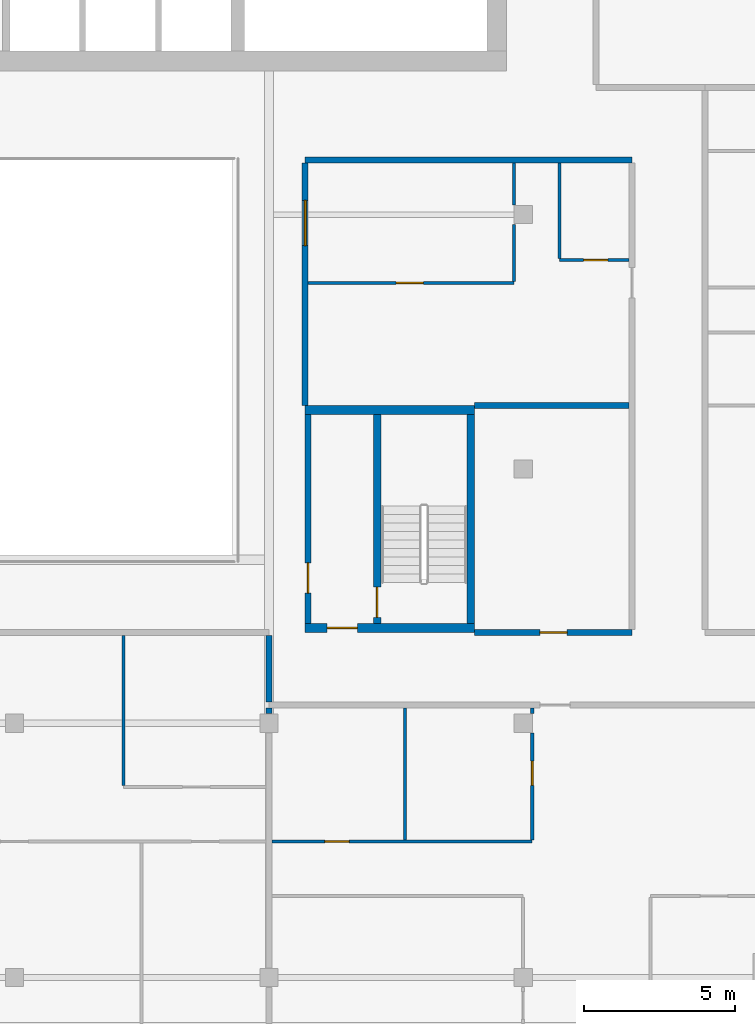
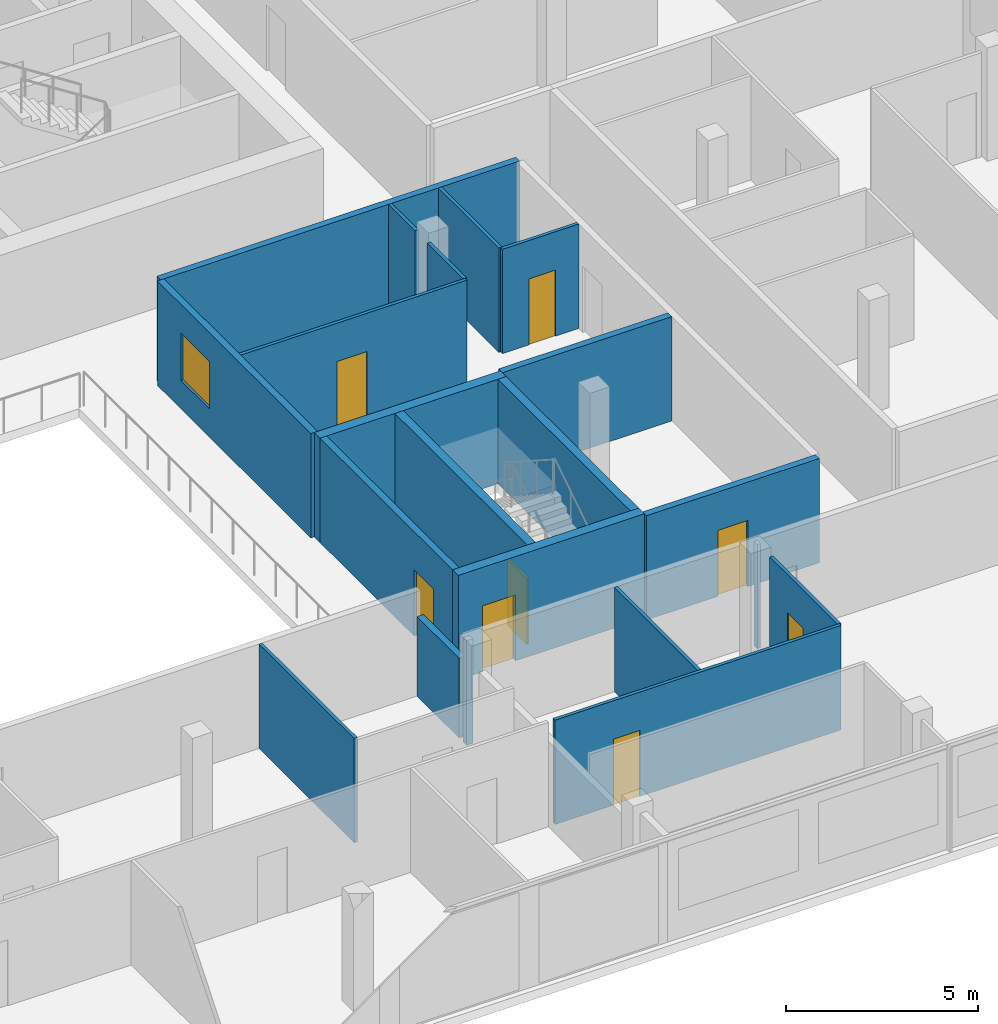
# One storey, part 19 of 30: 21 walls, 8 doors, 1 window, 9 openings.
"""IFC4 building model written with IfcOpenShell, lengths in metres."""

import ifcopenshell
import ifcopenshell.guid

model = None  # the IFC model being written
_history = None  # IfcOwnerHistory: only IFC2X3 demands one
_inside = {}  # id of a spatial element -> (the spatial element, [elements in it])
_under = {}  # id of a project, library or spatial element -> (it, [spatial elements below it])
_declared = {}  # id of a project -> (the project, [libraries it declares])
_typed = {}  # id of a type object -> (the type object, [elements of that type])
_made_of = {}  # id of a material, layer set ... -> (it, [elements and type objects made of it])


def new_model(schema):
    """Start an empty IFC model of exactly this schema.

    Asked for "IFC4X3", IfcOpenShell would pick the latest addendum, in which some entities
    have other attributes; the version numbers below select the first issue.
    IFC2X3 requires an IfcOwnerHistory on every rooted entity: one is made here for all.
    """
    global model, _history
    if schema == "IFC4X3":
        model = ifcopenshell.file(schema_version=(4, 3, 0, 0))
    else:
        model = ifcopenshell.file(schema=schema)
    _inside.clear()
    _under.clear()
    _declared.clear()
    _typed.clear()
    _made_of.clear()
    _history = None
    if model.schema == "IFC2X3":
        org = make("IfcOrganization", Name="unknown")
        user = make(
            "IfcPersonAndOrganization",
            ThePerson=make("IfcPerson", FamilyName="unknown"),
            TheOrganization=org,
        )
        app = make(
            "IfcApplication",
            ApplicationDeveloper=org,
            Version="unknown",
            ApplicationFullName="unknown",
            ApplicationIdentifier="unknown",
        )
        _history = make(
            "IfcOwnerHistory",
            OwningUser=user,
            OwningApplication=app,
            ChangeAction="ADDED",
            CreationDate=0,
        )
    return model


def make(cls, **values):
    """One entity of the class cls with the attributes given. An attribute that is None is left unset."""
    return model.create_entity(
        cls, **{name: value for name, value in values.items() if value is not None}
    )


def rooted(cls, **values):
    """An entity with a GlobalId (a new one), such as an element, a storey or a relation."""
    return make(cls, GlobalId=ifcopenshell.guid.new(), OwnerHistory=_history, **values)


def si_unit(unit_type, name, prefix=None):
    """IfcSIUnit, for example si_unit("LENGTHUNIT", "METRE", prefix="MILLI")."""
    return make("IfcSIUnit", UnitType=unit_type, Prefix=prefix, Name=name)


def assignment(units):
    """IfcUnitAssignment: the units of a project."""
    return None if units is None else make("IfcUnitAssignment", Units=units)


def point(xyz):
    """IfcCartesianPoint."""
    return None if xyz is None else make("IfcCartesianPoint", Coordinates=xyz)


def direction(xyz):
    """IfcDirection."""
    return None if xyz is None else make("IfcDirection", DirectionRatios=xyz)


def frame(location, z_axis=None, x_axis=None):
    """IfcAxis2Placement3D, a coordinate frame: its origin and axes. An axis left out is left unset."""
    return make(
        "IfcAxis2Placement3D",
        Location=point(location),
        Axis=direction(z_axis),
        RefDirection=direction(x_axis),
    )


def frame_2d(location, x_axis=None):
    """IfcAxis2Placement2D, a coordinate frame in the plane: its origin and x axis."""
    return make(
        "IfcAxis2Placement2D", Location=point(location), RefDirection=direction(x_axis)
    )


def origin():
    """The frame at (0, 0, 0) with its axes left unset."""
    return frame((0.0, 0.0, 0.0))


def place(relative_to, where):
    """IfcLocalPlacement: puts the frame where relative to a parent placement (None: the world)."""
    return make(
        "IfcLocalPlacement", PlacementRelTo=relative_to, RelativePlacement=where
    )


def context(
    kind, dimensions, precision=None, world=None, true_north=None, identifier=None
):
    """IfcGeometricRepresentationContext, for example the 3D "Model" context."""
    return make(
        "IfcGeometricRepresentationContext",
        ContextIdentifier=identifier,
        ContextType=kind,
        CoordinateSpaceDimension=dimensions,
        Precision=precision,
        WorldCoordinateSystem=world,
        TrueNorth=true_north,
    )


def subcontext(parent, identifier, kind, view, scale=None):
    """IfcGeometricRepresentationSubContext, for example "Body" below "Model"."""
    return make(
        "IfcGeometricRepresentationSubContext",
        ContextIdentifier=identifier,
        ContextType=kind,
        ParentContext=parent,
        TargetScale=scale,
        TargetView=view,
    )


def project(units=None, contexts=None):
    """IfcProject with its units and contexts."""
    return rooted(
        "IfcProject",
        Name="project",
        RepresentationContexts=contexts,
        UnitsInContext=assignment(units),
    )


def spatial(cls, under=None, at=None, **own):
    """A site, building, storey or space (cls), placed at a placement, below another one or the project."""
    s = rooted(cls, ObjectPlacement=at, **own)
    if under is not None:
        _under.setdefault(under.id(), (under, []))[1].append(s)
    return s


def profile(cls, at=None, kind="AREA", **sizes):
    """A parametric profile (cls). Its sizes go by their IFC names, for example OverallWidth=200.0."""
    return make(cls, ProfileType=kind, Position=at, **sizes)


def rectangle(**sizes):
    """IfcRectangleProfileDef."""
    return profile("IfcRectangleProfileDef", **sizes)


def extrude(swept, where, along, depth):
    """IfcExtrudedAreaSolid: the profile swept, set in the frame where, extruded along a direction by depth."""
    return make(
        "IfcExtrudedAreaSolid",
        SweptArea=swept,
        Position=where,
        ExtrudedDirection=direction(along),
        Depth=depth,
    )


def shape(context_of_items, identifier, shape_type, items):
    """IfcShapeRepresentation: the items that make up one representation, for example the "Body"."""
    return make(
        "IfcShapeRepresentation",
        ContextOfItems=context_of_items,
        RepresentationIdentifier=identifier,
        RepresentationType=shape_type,
        Items=items,
    )


def material(Name=None, Category=None):
    """IfcMaterial."""
    return make("IfcMaterial", Name=Name, Category=Category)


def layer(
    of_material, thickness, ventilated=None, Name=None, Category=None, Priority=None
):
    """IfcMaterialLayer: one layer of a wall or slab, of a material (None: an air gap)."""
    return make(
        "IfcMaterialLayer",
        Material=of_material,
        LayerThickness=thickness,
        IsVentilated=ventilated,
        Name=Name,
        Category=Category,
        Priority=Priority,
    )


def layer_set(layers, Name=None):
    """IfcMaterialLayerSet."""
    return make("IfcMaterialLayerSet", MaterialLayers=layers, LayerSetName=Name)


def made_of(thing, what):
    """Note that an element or type object is made of a material, layer set ...; save() writes the relation."""
    if what is not None:
        _made_of.setdefault(what.id(), (what, []))[1].append(thing)
    return thing


def type_object(cls, material=None, **own):
    """A type object (cls), such as IfcWallType, which elements share."""
    return made_of(rooted(cls, **own), material)


def element(
    cls,
    number,
    at=None,
    inside=None,
    cuts=None,
    type_object=None,
    material=None,
    context=None,
    identifier="Body",
    shape_type=None,
    held_by="IfcProductDefinitionShape",
    body=None,
    shapes=None,
    **own,
):
    """One element of the class cls, such as IfcWall. Its Tag is "e" and its number.

    at: its placement. inside: the storey or other place that contains it. cuts: it is an
    opening in that element (IfcRelVoidsElement). A single representation is given by context,
    identifier, shape_type and body (its items); several are given by shapes. held_by: the class
    of the entity that holds the representations. save() writes the other relations.
    """
    e = rooted(cls, Tag="e%d" % number, ObjectPlacement=at, **own)
    if body is not None:
        shapes = [shape(context, identifier, shape_type, body)]
    if shapes is not None:
        e.Representation = make(held_by, Representations=shapes)
    if inside is not None:
        _inside.setdefault(inside.id(), (inside, []))[1].append(e)
    if cuts is not None:
        rooted(
            "IfcRelVoidsElement", RelatingBuildingElement=cuts, RelatedOpeningElement=e
        )
    if type_object is not None:
        _typed.setdefault(type_object.id(), (type_object, []))[1].append(e)
    return made_of(e, material)


def fill(opening, filler):
    """IfcRelFillsElement: the door or window that sits in an opening."""
    return rooted(
        "IfcRelFillsElement",
        RelatingOpeningElement=opening,
        RelatedBuildingElement=filler,
    )


def aggregate(whole, parts):
    """IfcRelAggregates: a whole, such as a stair, and the parts it consists of."""
    return rooted("IfcRelAggregates", RelatingObject=whole, RelatedObjects=parts)


def save(model, path):
    """Write the relations noted so far, then the file.

    IfcRelAggregates (storeys below a building ...), IfcRelContainedInSpatialStructure (elements
    in a storey), IfcRelDefinesByType, IfcRelAssociatesMaterial and IfcRelDeclares: one each for
    every whole, place, type object, material and project.
    """
    for whole, parts in _under.values():
        aggregate(whole, parts)
    for where, things in _inside.values():
        rooted(
            "IfcRelContainedInSpatialStructure",
            RelatedElements=things,
            RelatingStructure=where,
        )
    for kind, things in _typed.values():
        rooted("IfcRelDefinesByType", RelatedObjects=things, RelatingType=kind)
    for what, things in _made_of.values():
        rooted("IfcRelAssociatesMaterial", RelatedObjects=things, RelatingMaterial=what)
    for by, libraries in _declared.values():
        rooted("IfcRelDeclares", RelatingContext=by, RelatedDefinitions=libraries)
    model.write(path)


model = new_model("IFC4")

# Units and contexts
model_context = context("Model", 3, precision=1e-05, world=origin(), true_north=direction((0.0, 1.0)))
body_context = subcontext(model_context, "Body", "Model", "MODEL_VIEW")
ifc_project = project(units=[si_unit("LENGTHUNIT", "METRE"), si_unit("AREAUNIT", "SQUARE_METRE"), si_unit("VOLUMEUNIT", "CUBIC_METRE"), si_unit("PLANEANGLEUNIT", "RADIAN"), si_unit("MASSUNIT", "GRAM", prefix="KILO")], contexts=[model_context])

# Site, building, storey
site_placement = place(None, origin())
site = spatial("IfcSite", under=ifc_project, at=site_placement, CompositionType="ELEMENT")
building_placement = place(site_placement, origin())
building = spatial("IfcBuilding", under=site, at=building_placement, Name="Saffron Gate Tower", CompositionType="ELEMENT")
storey_placement = place(building_placement, frame((0.0, 0.0, 216.300048828125)))
storey = spatial("IfcBuildingStorey", under=building, at=storey_placement, Name="L52", CompositionType="ELEMENT", Elevation=216.300048828125)

# Wall, opening, door
ifc_material_1 = material(Name="Gypsum board partition on steel studs", Category="steel")
ifc_layer_1 = layer(ifc_material_1, 0.199951171875)
ifc_layer_set_1 = layer_set([ifc_layer_1], Name="CW10 Core partition 200")
wall_type_1 = type_object("IfcWallType", Name="CW10 Core partition 200", PredefinedType="PARTITIONING", material=ifc_layer_set_1)
wall_1_placement = place(storey_placement, frame((101.5, 43.5, 0.0), z_axis=(0.0, 0.0, 1.0), x_axis=(0.0, 1.0, 0.0)))
wall_1 = element("IfcWall", 1, at=wall_1_placement, inside=storey, type_object=wall_type_1, Name="Wall CW10-L52-E-2", PredefinedType="PARTITIONING", context=body_context, shape_type="SweptSolid", body=[
    extrude(rectangle(XDim=6.89990234375, YDim=0.199951171875, at=frame_2d((3.449951171875, 0.0))), origin(), (0.0, 0.0, 1.0), 3.320068359375),
])
opening_1_placement = place(wall_1_placement, frame((1.0, 0.0, 0.0)))
opening_1 = element("IfcOpeningElement", 2, at=opening_1_placement, cuts=wall_1, Name="Opening CR-22", PredefinedType="OPENING", context=body_context, shape_type="SweptSolid", body=[
    extrude(rectangle(XDim=1.0, YDim=2.10009765625, at=frame_2d((0.5, 1.050048828125))), frame((0.0, 0.10986328125, 0.0), z_axis=(0.0, -1.0, 0.0), x_axis=(1.0, 0.0, 0.0)), (0.0, 0.0, 1.0), 0.219970703125),
])
ifc_material_2 = material(Name="Steel fire door set", Category="steel")
door_type_1 = type_object("IfcDoorType", Name="CD4 Lobby door 1000x2100 EI 120", OperationType="NOTDEFINED", PredefinedType="DOOR", material=ifc_material_2)
door_1_placement = place(opening_1_placement, origin())
door_1 = element("IfcDoor", 3, at=door_1_placement, inside=storey, type_object=door_type_1, Name="DOOR CR-22", OperationType="SINGLE_SWING_LEFT", OverallHeight=2.10009765625, OverallWidth=1.0, PredefinedType="DOOR", context=body_context, shape_type="SweptSolid", body=[
    extrude(rectangle(XDim=1.0, YDim=2.10009765625, at=frame_2d((0.5, 1.050048828125))), frame((0.0, 0.02490234375, 0.0), z_axis=(0.0, -1.0, 0.0), x_axis=(1.0, 0.0, 0.0)), (0.0, 0.0, 1.0), 0.050048828125),
])
fill(opening_1, door_1)

ifc_material_3 = material(Name="Concrete C60", Category="concrete")
ifc_layer_2 = layer(ifc_material_3, 0.25)
ifc_layer_set_2 = layer_set([ifc_layer_2], Name="CW14 RC core wall 250 C60")
wall_type_2 = type_object("IfcWallType", Name="CW14 RC core wall 250 C60", PredefinedType="SOLIDWALL", material=ifc_layer_set_2)
wall_2_placement = place(storey_placement, frame((103.77490234375, 43.5, 0.0), z_axis=(0.0, 0.0, 1.0), x_axis=(0.0, 1.0, 0.0)))
wall_2 = element("IfcWall", 4, at=wall_2_placement, inside=storey, type_object=wall_type_2, Name="Wall CW14-L52-E-3", PredefinedType="SOLIDWALL", context=body_context, shape_type="SweptSolid", body=[
    extrude(rectangle(XDim=6.89990234375, YDim=0.25, at=frame_2d((3.449951171875, 0.0))), origin(), (0.0, 0.0, 1.0), 3.320068359375),
])
opening_2_placement = place(wall_2_placement, frame((0.199951171875, 0.0, 0.0)))
opening_2 = element("IfcOpeningElement", 5, at=opening_2_placement, cuts=wall_2, Name="Opening CR-23", PredefinedType="OPENING", context=body_context, shape_type="SweptSolid", body=[
    extrude(rectangle(XDim=1.0, YDim=2.10009765625, at=frame_2d((0.5, 1.050048828125))), frame((0.0, 0.135009765625, 0.0), z_axis=(0.0, -1.0, 0.0), x_axis=(1.0, 0.0, 0.0)), (0.0, 0.0, 1.0), 0.27001953125),
])
door_type_2 = type_object("IfcDoorType", Name="CD5 Stair door 1000x2100 EI 120", OperationType="NOTDEFINED", PredefinedType="DOOR", material=ifc_material_2)
door_2_placement = place(opening_2_placement, origin())
door_2 = element("IfcDoor", 6, at=door_2_placement, inside=storey, type_object=door_type_2, Name="DOOR CR-23", OperationType="SINGLE_SWING_RIGHT", OverallHeight=2.10009765625, OverallWidth=1.0, PredefinedType="DOOR", context=body_context, shape_type="SweptSolid", body=[
    extrude(rectangle(XDim=1.0, YDim=2.10009765625, at=frame_2d((0.5, 1.050048828125))), frame((0.0, 0.02490234375, 0.0), z_axis=(0.0, -1.0, 0.0), x_axis=(1.0, 0.0, 0.0)), (0.0, 0.0, 1.0), 0.050048828125),
])
fill(opening_2, door_2)

# Wall
wall_3_placement = place(storey_placement, frame((106.875, 43.5, 0.0), z_axis=(0.0, 0.0, 1.0), x_axis=(0.0, 1.0, 0.0)))
element("IfcWall", 7, at=wall_3_placement, inside=storey, type_object=wall_type_2, Name="Wall CW14-L52-E-4", PredefinedType="SOLIDWALL", context=body_context, shape_type="SweptSolid", body=[
    extrude(rectangle(XDim=6.89990234375, YDim=0.25, at=frame_2d((3.449951171875, 0.0))), origin(), (0.0, 0.0, 1.0), 3.320068359375),
])

# Wall, opening, door
ifc_layer_3 = layer(ifc_material_3, 0.300048828125)
ifc_layer_set_3 = layer_set([ifc_layer_3], Name="CW17 RC core wall 300 C60")
wall_type_3 = type_object("IfcWallType", Name="CW17 RC core wall 300 C60", PredefinedType="SOLIDWALL", material=ifc_layer_set_3)
wall_4_placement = place(storey_placement, frame((101.39990234375, 43.35009765625, 0.0), z_axis=(0.0, 0.0, 1.0), x_axis=(1.0, 0.0, 0.0)))
wall_4 = element("IfcWall", 8, at=wall_4_placement, inside=storey, type_object=wall_type_3, Name="Wall CW17-L52-E-1", PredefinedType="SOLIDWALL", context=body_context, shape_type="SweptSolid", body=[
    extrude(rectangle(XDim=5.60009765625, YDim=0.300048828125, at=frame_2d((2.800048828125, 0.0))), origin(), (0.0, 0.0, 1.0), 3.320068359375),
])
opening_3_placement = place(wall_4_placement, frame((0.72509765625, 0.0, 0.0)))
opening_3 = element("IfcOpeningElement", 9, at=opening_3_placement, cuts=wall_4, Name="Opening CR-21", PredefinedType="OPENING", context=body_context, shape_type="SweptSolid", body=[
    extrude(rectangle(XDim=1.0, YDim=2.10009765625, at=frame_2d((0.5, 1.050048828125))), frame((0.0, 0.16015625, 0.0), z_axis=(0.0, -1.0, 0.0), x_axis=(1.0, 0.0, 0.0)), (0.0, 0.0, 1.0), 0.320068359375),
])
door_3_placement = place(opening_3_placement, origin())
door_3 = element("IfcDoor", 10, at=door_3_placement, inside=storey, type_object=door_type_1, Name="DOOR CR-21", OperationType="SINGLE_SWING_RIGHT", OverallHeight=2.10009765625, OverallWidth=1.0, PredefinedType="DOOR", context=body_context, shape_type="SweptSolid", body=[
    extrude(rectangle(XDim=1.0, YDim=2.10009765625, at=frame_2d((0.5, 1.050048828125))), frame((0.0, 0.02490234375, 0.0), z_axis=(0.0, -1.0, 0.0), x_axis=(1.0, 0.0, 0.0)), (0.0, 0.0, 1.0), 0.050048828125),
])
fill(opening_3, door_3)

# Wall
wall_5_placement = place(storey_placement, frame((101.39990234375, 50.550048828125, 0.0), z_axis=(0.0, 0.0, 1.0), x_axis=(1.0, 0.0, 0.0)))
element("IfcWall", 11, at=wall_5_placement, inside=storey, type_object=wall_type_3, Name="Wall CW17-L52-E-5", PredefinedType="SOLIDWALL", context=body_context, shape_type="SweptSolid", body=[
    extrude(rectangle(XDim=5.60009765625, YDim=0.300048828125, at=frame_2d((2.800048828125, 0.0))), origin(), (0.0, 0.0, 1.0), 3.320068359375),
])

# Wall, opening, door
ifc_material_4 = material(Name="Plasterboard on steel studs", Category="steel")
ifc_layer_4 = layer(ifc_material_4, 0.10009765625)
ifc_layer_set_4 = layer_set([ifc_layer_4], Name="PW1 Partition 100")
wall_type_4 = type_object("IfcWallType", Name="PW1 Partition 100", PredefinedType="PARTITIONING", material=ifc_layer_set_4)
wall_6_placement = place(storey_placement, frame((101.5, 54.75, 0.0), z_axis=(0.0, 0.0, 1.0), x_axis=(1.0, 0.0, 0.0)))
wall_6 = element("IfcWall", 12, at=wall_6_placement, inside=storey, type_object=wall_type_4, Name="Partition D2-31", PredefinedType="PARTITIONING", context=body_context, shape_type="SweptSolid", body=[
    extrude(rectangle(XDim=6.800048828125, YDim=0.10009765625, at=frame_2d((3.39990234375, 0.0))), origin(), (0.0, 0.0, 1.0), 3.320068359375),
])
opening_4_placement = place(wall_6_placement, frame((2.89990234375, 0.0, 0.0)))
opening_4 = element("IfcOpeningElement", 13, at=opening_4_placement, cuts=wall_6, Name="Opening D2-38", PredefinedType="OPENING", context=body_context, shape_type="SweptSolid", body=[
    extrude(rectangle(XDim=0.89990234375, YDim=2.10009765625, at=frame_2d((0.449951171875, 1.050048828125))), frame((0.0, 0.06005859375, 0.0), z_axis=(0.0, -1.0, 0.0), x_axis=(1.0, 0.0, 0.0)), (0.0, 0.0, 1.0), 0.1201171875),
])
ifc_material_5 = material(Name="Timber door set", Category="wood")
door_type_3 = type_object("IfcDoorType", Name="RD1 Room door 900x2100", OperationType="NOTDEFINED", PredefinedType="DOOR", material=ifc_material_5)
door_4_placement = place(opening_4_placement, origin())
door_4 = element("IfcDoor", 14, at=door_4_placement, inside=storey, type_object=door_type_3, Name="Door D2-38", OperationType="SINGLE_SWING_LEFT", OverallHeight=2.10009765625, OverallWidth=0.89990234375, PredefinedType="DOOR", context=body_context, shape_type="SweptSolid", body=[
    extrude(rectangle(XDim=0.89990234375, YDim=2.10009765625, at=frame_2d((0.449951171875, 1.050048828125))), frame((0.0, 0.02490234375, 0.0), z_axis=(0.0, -1.0, 0.0), x_axis=(1.0, 0.0, 0.0)), (0.0, 0.0, 1.0), 0.050048828125),
])
fill(opening_4, door_4)

wall_7_placement = place(storey_placement, frame((109.800048828125, 55.5, 0.0), z_axis=(0.0, 0.0, 1.0), x_axis=(1.0, 0.0, 0.0)))
wall_7 = element("IfcWall", 15, at=wall_7_placement, inside=storey, type_object=wall_type_4, Name="Partition D2-33", PredefinedType="PARTITIONING", context=body_context, shape_type="SweptSolid", body=[
    extrude(rectangle(XDim=2.300048828125, YDim=0.10009765625, at=frame_2d((1.14990234375, 0.0))), origin(), (0.0, 0.0, 1.0), 3.320068359375),
])
opening_5_placement = place(wall_7_placement, frame((0.800048828125, 0.0, 0.0)))
opening_5 = element("IfcOpeningElement", 16, at=opening_5_placement, cuts=wall_7, Name="Opening D2-53", PredefinedType="OPENING", context=body_context, shape_type="SweptSolid", body=[
    extrude(rectangle(XDim=0.800048828125, YDim=2.10009765625, at=frame_2d((0.39990234375, 1.050048828125))), frame((0.0, 0.06005859375, 0.0), z_axis=(0.0, -1.0, 0.0), x_axis=(1.0, 0.0, 0.0)), (0.0, 0.0, 1.0), 0.1201171875),
])
door_type_4 = type_object("IfcDoorType", Name="RD2 Bathroom door 800x2100", OperationType="NOTDEFINED", PredefinedType="DOOR", material=ifc_material_5)
door_5_placement = place(opening_5_placement, origin())
door_5 = element("IfcDoor", 17, at=door_5_placement, inside=storey, type_object=door_type_4, Name="Door D2-53", OperationType="SINGLE_SWING_RIGHT", OverallHeight=2.10009765625, OverallWidth=0.800048828125, PredefinedType="DOOR", context=body_context, shape_type="SweptSolid", body=[
    extrude(rectangle(XDim=0.800048828125, YDim=2.10009765625, at=frame_2d((0.39990234375, 1.050048828125))), frame((0.0, 0.02490234375, 0.0), z_axis=(0.0, -1.0, 0.0), x_axis=(1.0, 0.0, 0.0)), (0.0, 0.0, 1.0), 0.050048828125),
])
fill(opening_5, door_5)

# Walls
wall_8_placement = place(storey_placement, frame((95.39990234375, 43.10009765625, 0.0), z_axis=(0.0, 0.0, 1.0), x_axis=(0.0, -1.0, 0.0)))
element("IfcWall", 18, at=wall_8_placement, inside=storey, type_object=wall_type_4, Name="Partition D2-88", PredefinedType="PARTITIONING", context=body_context, shape_type="SweptSolid", body=[
    extrude(rectangle(XDim=4.9501953125, YDim=0.10009765625, at=frame_2d((2.47509765625, 0.0))), origin(), (0.0, 0.0, 1.0), 3.320068359375),
])
wall_9_placement = place(storey_placement, frame((104.699951171875, 40.699951171875, 0.0), z_axis=(0.0, 0.0, 1.0), x_axis=(0.0, -1.0, 0.0)))
element("IfcWall", 19, at=wall_9_placement, inside=storey, type_object=wall_type_4, Name="Partition D2-95", PredefinedType="PARTITIONING", context=body_context, shape_type="SweptSolid", body=[
    extrude(rectangle(XDim=4.349853515625, YDim=0.10009765625, at=frame_2d((2.1748046875, 0.0))), origin(), (0.0, 0.0, 1.0), 3.320068359375),
])
wall_10_placement = place(storey_placement, frame((108.300048828125, 56.679931640625, 0.0), z_axis=(0.0, 0.0, 1.0), x_axis=(0.0, -1.0, 0.0)))
element("IfcWall", 20, at=wall_10_placement, inside=storey, type_object=wall_type_4, Name="Partition D2-96", PredefinedType="PARTITIONING", context=body_context, shape_type="SweptSolid", body=[
    extrude(rectangle(XDim=1.8798828125, YDim=0.10009765625, at=frame_2d((0.93994140625, 0.0))), origin(), (0.0, 0.0, 1.0), 3.320068359375),
])
wall_11_placement = place(storey_placement, frame((108.300048828125, 58.699951171875, 0.0), z_axis=(0.0, 0.0, 1.0), x_axis=(0.0, -1.0, 0.0)))
element("IfcWall", 21, at=wall_11_placement, inside=storey, type_object=wall_type_4, Name="Partition D2-97", PredefinedType="PARTITIONING", context=body_context, shape_type="SweptSolid", body=[
    extrude(rectangle(XDim=1.3798828125, YDim=0.10009765625, at=frame_2d((0.68994140625, 0.0))), origin(), (0.0, 0.0, 1.0), 3.320068359375),
])

# Wall, opening, door
wall_12_placement = place(storey_placement, frame((108.89990234375, 36.35009765625, 0.0), z_axis=(0.0, 0.0, 1.0), x_axis=(0.0, 1.0, 0.0)))
wall_12 = element("IfcWall", 22, at=wall_12_placement, inside=storey, type_object=wall_type_4, Name="Partition D2-100", PredefinedType="PARTITIONING", context=body_context, shape_type="SweptSolid", body=[
    extrude(rectangle(XDim=3.52978515625, YDim=0.10009765625, at=frame_2d((1.764892578125, 0.0))), origin(), (0.0, 0.0, 1.0), 3.320068359375),
])
opening_6_placement = place(wall_12_placement, frame((1.800048828125, 0.0, 0.0)))
opening_6 = element("IfcOpeningElement", 23, at=opening_6_placement, cuts=wall_12, Name="Opening D2-44", PredefinedType="OPENING", context=body_context, shape_type="SweptSolid", body=[
    extrude(rectangle(XDim=0.800048828125, YDim=2.10009765625, at=frame_2d((0.39990234375, 1.050048828125))), frame((0.0, 0.06005859375, 0.0), z_axis=(0.0, -1.0, 0.0), x_axis=(1.0, 0.0, 0.0)), (0.0, 0.0, 1.0), 0.1201171875),
])
door_6_placement = place(opening_6_placement, origin())
door_6 = element("IfcDoor", 24, at=door_6_placement, inside=storey, type_object=door_type_4, Name="Door D2-44", OperationType="SINGLE_SWING_RIGHT", OverallHeight=2.10009765625, OverallWidth=0.800048828125, PredefinedType="DOOR", context=body_context, shape_type="SweptSolid", body=[
    extrude(rectangle(XDim=0.800048828125, YDim=2.10009765625, at=frame_2d((0.39990234375, 1.050048828125))), frame((0.0, 0.02490234375, 0.0), z_axis=(0.0, -1.0, 0.0), x_axis=(1.0, 0.0, 0.0)), (0.0, 0.0, 1.0), 0.050048828125),
])
fill(opening_6, door_6)

# Walls
wall_13_placement = place(storey_placement, frame((108.89990234375, 40.699951171875, 0.0), z_axis=(0.0, 0.0, 1.0), x_axis=(0.0, -1.0, 0.0)))
element("IfcWall", 25, at=wall_13_placement, inside=storey, type_object=wall_type_4, Name="Partition D2-101", PredefinedType="PARTITIONING", context=body_context, shape_type="SweptSolid", body=[
    extrude(rectangle(XDim=0.179931640625, YDim=0.10009765625, at=frame_2d((0.08984375, 0.0))), origin(), (0.0, 0.0, 1.0), 3.320068359375),
])
wall_14_placement = place(storey_placement, frame((109.800048828125, 58.699951171875, 0.0), z_axis=(0.0, 0.0, 1.0), x_axis=(0.0, -1.0, 0.0)))
element("IfcWall", 26, at=wall_14_placement, inside=storey, type_object=wall_type_4, Name="Partition D2-102", PredefinedType="PARTITIONING", context=body_context, shape_type="SweptSolid", body=[
    extrude(rectangle(XDim=3.14990234375, YDim=0.10009765625, at=frame_2d((1.574951171875, 0.0))), origin(), (0.0, 0.0, 1.0), 3.320068359375),
])

# Wall, opening, door
wall_15_placement = place(storey_placement, frame((100.300048828125, 36.300048828125, 0.0), z_axis=(0.0, 0.0, 1.0), x_axis=(1.0, 0.0, 0.0)))
wall_15 = element("IfcWall", 27, at=wall_15_placement, inside=storey, type_object=wall_type_4, Name="Partition D2-118", PredefinedType="PARTITIONING", context=body_context, shape_type="SweptSolid", body=[
    extrude(rectangle(XDim=8.599853515625, YDim=0.10009765625, at=frame_2d((4.2998046875, 0.0))), origin(), (0.0, 0.0, 1.0), 3.320068359375),
])
opening_7_placement = place(wall_15_placement, frame((1.75, 0.0, 0.0)))
opening_7 = element("IfcOpeningElement", 28, at=opening_7_placement, cuts=wall_15, Name="Opening D2-43", PredefinedType="OPENING", context=body_context, shape_type="SweptSolid", body=[
    extrude(rectangle(XDim=0.800048828125, YDim=2.10009765625, at=frame_2d((0.39990234375, 1.050048828125))), frame((0.0, 0.06005859375, 0.0), z_axis=(0.0, -1.0, 0.0), x_axis=(1.0, 0.0, 0.0)), (0.0, 0.0, 1.0), 0.1201171875),
])
door_7_placement = place(opening_7_placement, origin())
door_7 = element("IfcDoor", 29, at=door_7_placement, inside=storey, type_object=door_type_4, Name="Door D2-43", OperationType="SINGLE_SWING_LEFT", OverallHeight=2.10009765625, OverallWidth=0.800048828125, PredefinedType="DOOR", context=body_context, shape_type="SweptSolid", body=[
    extrude(rectangle(XDim=0.800048828125, YDim=2.10009765625, at=frame_2d((0.39990234375, 1.050048828125))), frame((0.0, 0.02490234375, 0.0), z_axis=(0.0, -1.0, 0.0), x_axis=(1.0, 0.0, 0.0)), (0.0, 0.0, 1.0), 0.050048828125),
])
fill(opening_7, door_7)

# Walls
ifc_material_6 = material(Name="Clay brick masonry, rendered", Category="masonry")
ifc_layer_5 = layer(ifc_material_6, 0.199951171875)
ifc_layer_set_5 = layer_set([ifc_layer_5], Name="PW2 Demising wall 200")
wall_type_5 = type_object("IfcWallType", Name="PW2 Demising wall 200", PredefinedType="PARTITIONING", material=ifc_layer_set_5)
wall_16_placement = place(storey_placement, frame((107.0, 50.699951171875, 0.0), z_axis=(0.0, 0.0, 1.0), x_axis=(1.0, 0.0, 0.0)))
element("IfcWall", 30, at=wall_16_placement, inside=storey, type_object=wall_type_5, Name="Wall D2-25", PredefinedType="PARTITIONING", context=body_context, shape_type="SweptSolid", body=[
    extrude(rectangle(XDim=5.10009765625, YDim=0.199951171875, at=frame_2d((2.550048828125, 0.0))), origin(), (0.0, 0.0, 1.0), 3.320068359375),
])
wall_17_placement = place(storey_placement, frame((100.199951171875, 40.699951171875, 0.0), z_axis=(0.0, 0.0, 1.0), x_axis=(0.0, -1.0, 0.0)))
element("IfcWall", 31, at=wall_17_placement, inside=storey, type_object=wall_type_5, Name="Wall D2-93", PredefinedType="PARTITIONING", context=body_context, shape_type="SweptSolid", body=[
    extrude(rectangle(XDim=0.179931640625, YDim=0.199951171875, at=frame_2d((0.08984375, 0.0))), origin(), (0.0, 0.0, 1.0), 3.320068359375),
])

# Wall, opening, door
ifc_layer_6 = layer(ifc_material_6, 0.199951171875)
ifc_layer_set_6 = layer_set([ifc_layer_6], Name="PW3 Corridor wall 200")
wall_type_6 = type_object("IfcWallType", Name="PW3 Corridor wall 200", PredefinedType="PARTITIONING", material=ifc_layer_set_6)
wall_18_placement = place(storey_placement, frame((107.0, 43.199951171875, 0.0), z_axis=(0.0, 0.0, 1.0), x_axis=(1.0, 0.0, 0.0)))
wall_18 = element("IfcWall", 32, at=wall_18_placement, inside=storey, type_object=wall_type_6, Name="Wall D2-16", PredefinedType="PARTITIONING", context=body_context, shape_type="SweptSolid", body=[
    extrude(rectangle(XDim=5.199951171875, YDim=0.199951171875, at=frame_2d((2.60009765625, 0.0))), origin(), (0.0, 0.0, 1.0), 3.320068359375),
])
opening_8_placement = place(wall_18_placement, frame((2.14990234375, 0.0, 0.0)))
opening_8 = element("IfcOpeningElement", 33, at=opening_8_placement, cuts=wall_18, Name="Opening D2-54", PredefinedType="OPENING", context=body_context, shape_type="SweptSolid", body=[
    extrude(rectangle(XDim=0.89990234375, YDim=2.10009765625, at=frame_2d((0.449951171875, 1.050048828125))), frame((0.0, 0.10986328125, 0.0), z_axis=(0.0, -1.0, 0.0), x_axis=(1.0, 0.0, 0.0)), (0.0, 0.0, 1.0), 0.219970703125),
])
door_type_5 = type_object("IfcDoorType", Name="SD1 Service door 900x2100", OperationType="NOTDEFINED", PredefinedType="DOOR", material=ifc_material_2)
door_8_placement = place(opening_8_placement, origin())
door_8 = element("IfcDoor", 34, at=door_8_placement, inside=storey, type_object=door_type_5, Name="Door D2-54", OperationType="SINGLE_SWING_LEFT", OverallHeight=2.10009765625, OverallWidth=0.89990234375, PredefinedType="DOOR", context=body_context, shape_type="SweptSolid", body=[
    extrude(rectangle(XDim=0.89990234375, YDim=2.10009765625, at=frame_2d((0.449951171875, 1.050048828125))), frame((0.0, 0.02490234375, 0.0), z_axis=(0.0, -1.0, 0.0), x_axis=(1.0, 0.0, 0.0)), (0.0, 0.0, 1.0), 0.050048828125),
])
fill(opening_8, door_8)

# Walls
wall_19_placement = place(storey_placement, frame((101.39990234375, 58.800048828125, 0.0), z_axis=(0.0, 0.0, 1.0), x_axis=(1.0, 0.0, 0.0)))
element("IfcWall", 35, at=wall_19_placement, inside=storey, type_object=wall_type_6, Name="Wall D2-37", PredefinedType="PARTITIONING", context=body_context, shape_type="SweptSolid", body=[
    extrude(rectangle(XDim=10.800048828125, YDim=0.199951171875, at=frame_2d((5.39990234375, 0.0))), origin(), (0.0, 0.0, 1.0), 3.320068359375),
])
wall_20_placement = place(storey_placement, frame((100.199951171875, 43.10009765625, 0.0), z_axis=(0.0, 0.0, 1.0), x_axis=(0.0, -1.0, 0.0)))
element("IfcWall", 36, at=wall_20_placement, inside=storey, type_object=wall_type_6, Name="Wall D2-90", PredefinedType="PARTITIONING", context=body_context, shape_type="SweptSolid", body=[
    extrude(rectangle(XDim=2.2001953125, YDim=0.199951171875, at=frame_2d((1.10009765625, 0.0))), origin(), (0.0, 0.0, 1.0), 2.530029296875),
])

# Wall, opening, window
wall_21_placement = place(storey_placement, frame((101.39990234375, 58.699951171875, 0.0), z_axis=(0.0, 0.0, 1.0), x_axis=(0.0, -1.0, 0.0)))
wall_21 = element("IfcWall", 37, at=wall_21_placement, inside=storey, type_object=wall_type_6, Name="Wall D2-94", PredefinedType="PARTITIONING", context=body_context, shape_type="SweptSolid", body=[
    extrude(rectangle(XDim=8.0, YDim=0.199951171875, at=frame_2d((4.0, 0.0))), origin(), (0.0, 0.0, 1.0), 3.320068359375),
])
opening_9_placement = place(wall_21_placement, frame((1.22509765625, 0.0, 0.89990234375)))
opening_9 = element("IfcOpeningElement", 38, at=opening_9_placement, cuts=wall_21, Name="Opening GW1", PredefinedType="OPENING", context=body_context, shape_type="SweptSolid", body=[
    extrude(rectangle(XDim=1.5, YDim=1.5, at=frame_2d((0.75, 0.75))), frame((0.0, 0.10986328125, 0.0), z_axis=(0.0, -1.0, 0.0), x_axis=(1.0, 0.0, 0.0)), (0.0, 0.0, 1.0), 0.219970703125),
])
ifc_material_7 = material(Name="Fire-resisting laminated glass in steel frame", Category="steel")
ifc_layer_7 = layer(ifc_material_7, 0.06005859375)
ifc_layer_set_7 = layer_set([ifc_layer_7], Name="GW1 Gallery window 1500x1500")
window_type = type_object("IfcWindowType", Name="GW1 Gallery window 1500x1500", PartitioningType="SINGLE_PANEL", PredefinedType="WINDOW", material=ifc_layer_set_7)
window_placement = place(opening_9_placement, origin())
window = element("IfcWindow", 39, at=window_placement, inside=storey, type_object=window_type, Name="GW1 window D2-J-B1", OverallHeight=1.5, OverallWidth=1.5, PartitioningType="SINGLE_PANEL", PredefinedType="WINDOW", context=body_context, shape_type="SweptSolid", body=[
    extrude(rectangle(XDim=1.5, YDim=1.5, at=frame_2d((0.75, 0.75))), frame((0.0, 0.030029296875, 0.0), z_axis=(0.0, -1.0, 0.0), x_axis=(1.0, 0.0, 0.0)), (0.0, 0.0, 1.0), 0.06005859375),
])
fill(opening_9, window)

save(model, "model.ifc")
